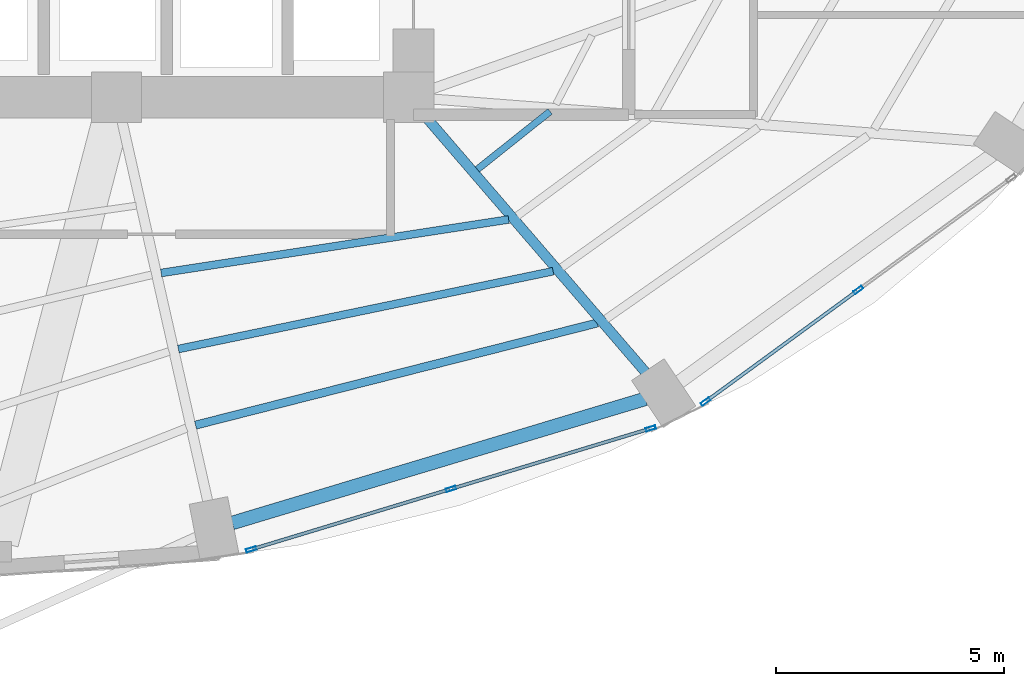
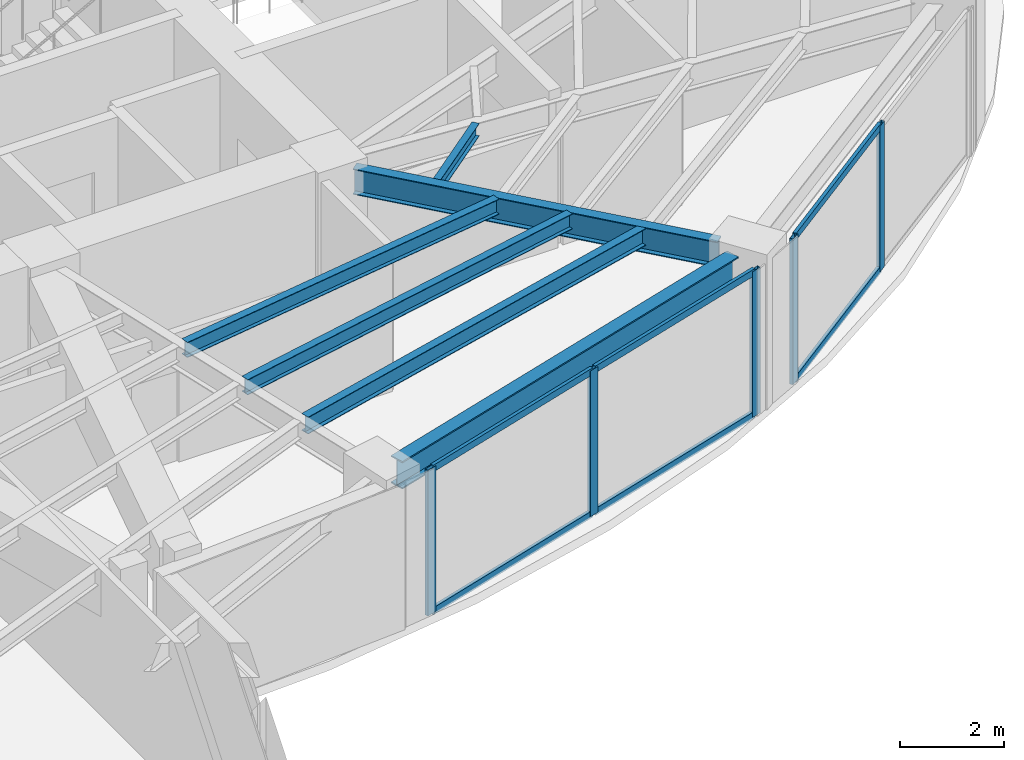
# One storey, part 9 of 24: 11 members, 6 beams, 2 elements without a shape of their own.
"""IFC4 building model written with IfcOpenShell, lengths in metres."""

from ifc_helpers import new_model, si_unit, direction, frame, origin, origin_2d, place, context, subcontext, project, spatial, hollow_rectangle, i_section, extrude, material, layer, layer_set, material_profile, profile_set, type_object, element, aggregate, save


model = new_model("IFC4")

# Units and contexts
model_context = context("Model", 3, precision=1e-05, world=origin(), true_north=direction((0.0, 1.0)))
body_context = subcontext(model_context, "Body", "Model", "MODEL_VIEW")
ifc_project = project(units=[si_unit("LENGTHUNIT", "METRE"), si_unit("AREAUNIT", "SQUARE_METRE"), si_unit("VOLUMEUNIT", "CUBIC_METRE"), si_unit("PLANEANGLEUNIT", "RADIAN"), si_unit("MASSUNIT", "GRAM", prefix="KILO")], contexts=[model_context])

# Site, building, storey
site_placement = place(None, origin())
site = spatial("IfcSite", under=ifc_project, at=site_placement, CompositionType="ELEMENT")
building_placement = place(site_placement, origin())
building = spatial("IfcBuilding", under=site, at=building_placement, Name="Lazwardi Medical Tower", CompositionType="ELEMENT")
storey_placement = place(building_placement, frame((0.0, 0.0, 36.14404296875)))
storey = spatial("IfcBuildingStorey", under=building, at=storey_placement, Name="L08", CompositionType="ELEMENT", Elevation=36.14404296875)

# Beams
ifc_material_1 = material(Name="Steel S355", Category="steel")
ifc_material_profile_1 = material_profile(ifc_material_1, i_section(OverallWidth=0.300048828125, OverallDepth=0.64990234375, WebThickness=0.01611328125, FlangeThickness=0.031005859375, at=origin_2d()), Name="HEB 650")
ifc_profile_set_1 = profile_set([ifc_material_profile_1], Name="Steel S355")
beam_type_1 = type_object("IfcBeamType", Name="BM-RB-Z1", PredefinedType="BEAM", material=ifc_profile_set_1)
beam_1_placement = place(storey_placement, frame((41.73291015625, 11.076904296875, 3.10302734375), z_axis=(0.957695289269, 0.287784177662, 0.0), x_axis=(-0.287784177662, 0.957695289269, 0.0)))
element("IfcBeam", 1, at=beam_1_placement, inside=storey, type_object=beam_type_1, Name="Ring beam RB-02 B01 L08", PredefinedType="BEAM", context=body_context, shape_type="SweptSolid", body=[
    extrude(i_section(OverallWidth=0.300048828125, OverallDepth=0.64990234375, WebThickness=0.01611328125, FlangeThickness=0.031005859375, at=origin_2d()), origin(), (0.0, 0.0, 1.0), 9.445556640625),
])
ifc_material_profile_2 = material_profile(ifc_material_1, i_section(OverallWidth=0.219970703125, OverallDepth=0.60009765625, WebThickness=0.011962890625, FlangeThickness=0.01904296875, at=origin_2d()), Name="IPE 600")
ifc_profile_set_2 = profile_set([ifc_material_profile_2], Name="Steel S355")
beam_type_2 = type_object("IfcBeamType", Name="BM-RG-W1", PredefinedType="BEAM", material=ifc_profile_set_2)
beam_2_placement = place(storey_placement, frame((50.802490234375, 14.355712890625, 3.1279296875), z_axis=(-0.652368190463, 0.757902199543, 0.0), x_axis=(-0.757902199543, -0.652368190463, 0.0)))
element("IfcBeam", 2, at=beam_2_placement, inside=storey, type_object=beam_type_2, Name="Radial girder RG-02 R02 L08", PredefinedType="BEAM", context=body_context, shape_type="SweptSolid", body=[
    extrude(i_section(OverallWidth=0.219970703125, OverallDepth=0.60009765625, WebThickness=0.011962890625, FlangeThickness=0.01904296875, at=origin_2d()), origin(), (0.0, 0.0, 1.0), 7.43994140625),
])
ifc_material_profile_3 = material_profile(ifc_material_1, i_section(OverallWidth=0.179931640625, OverallDepth=0.39990234375, WebThickness=0.008544921875, FlangeThickness=0.013427734375, at=origin_2d()), Name="IPE 400")
ifc_profile_set_3 = profile_set([ifc_material_profile_3], Name="Steel S355")
beam_type_3 = type_object("IfcBeamType", Name="BM-SJ-01", PredefinedType="JOIST", material=ifc_profile_set_3)
beam_3_placement = place(storey_placement, frame((40.927734375, 13.218994140625, 3.22802734375), z_axis=(0.969151012048, 0.246467677081, 0.0), x_axis=(-0.246467677081, 0.969151012048, 0.0)))
element("IfcBeam", 3, at=beam_3_placement, inside=storey, type_object=beam_type_3, Name="Secondary joist SJ-01 R1 B01 L08", PredefinedType="JOIST", context=body_context, shape_type="SweptSolid", body=[
    extrude(i_section(OverallWidth=0.179931640625, OverallDepth=0.39990234375, WebThickness=0.008544921875, FlangeThickness=0.013427734375, at=origin_2d()), origin(), (0.0, 0.0, 1.0), 9.08251953125),
])
ifc_material_profile_4 = material_profile(ifc_material_1, i_section(OverallWidth=0.169921875, OverallDepth=0.360107421875, WebThickness=0.008056640625, FlangeThickness=0.0126953125, at=origin_2d()), Name="IPE 360")
ifc_profile_set_4 = profile_set([ifc_material_profile_4], Name="Steel S355")
beam_type_4 = type_object("IfcBeamType", Name="BM-SJ-02", PredefinedType="JOIST", material=ifc_profile_set_4)
beam_4_placement = place(storey_placement, frame((40.5517578125, 14.885498046875, 3.248046875), z_axis=(0.979107693723, 0.203342381445, 0.0), x_axis=(-0.203342381445, 0.979107693723, 0.0)))
element("IfcBeam", 4, at=beam_4_placement, inside=storey, type_object=beam_type_4, Name="Secondary joist SJ-02 R2 B01 L08", PredefinedType="JOIST", context=body_context, shape_type="SweptSolid", body=[
    extrude(i_section(OverallWidth=0.169921875, OverallDepth=0.360107421875, WebThickness=0.008056640625, FlangeThickness=0.0126953125, at=origin_2d()), origin(), (0.0, 0.0, 1.0), 8.381591796875),
])
beam_5_placement = place(storey_placement, frame((40.175537109375, 16.551513671875, 3.248046875), z_axis=(0.988362899594, 0.152114360618, 0.0), x_axis=(-0.152114360618, 0.988362899594, 0.0)))
element("IfcBeam", 5, at=beam_5_placement, inside=storey, type_object=beam_type_4, Name="Secondary joist SJ-02 R3 B01 L08", PredefinedType="JOIST", context=body_context, shape_type="SweptSolid", body=[
    extrude(i_section(OverallWidth=0.169921875, OverallDepth=0.360107421875, WebThickness=0.008056640625, FlangeThickness=0.0126953125, at=origin_2d()), origin(), (0.0, 0.0, 1.0), 7.70068359375),
])
ifc_material_profile_5 = material_profile(ifc_material_1, i_section(OverallWidth=0.14990234375, OverallDepth=0.300048828125, WebThickness=0.007080078125, FlangeThickness=0.0107421875, at=origin_2d()), Name="IPE 300")
ifc_profile_set_5 = profile_set([ifc_material_profile_5], Name="Steel S355")
beam_type_5 = type_object("IfcBeamType", Name="BM-SJ-03", PredefinedType="JOIST", material=ifc_profile_set_5)
beam_6_placement = place(storey_placement, frame((47.098876953125, 18.8193359375, 3.278076171875), z_axis=(0.782210957226, 0.623013658274, 0.0), x_axis=(-0.623013658274, 0.782210957226, 0.0)))
element("IfcBeam", 6, at=beam_6_placement, inside=storey, type_object=beam_type_5, Name="Secondary joist SJ-03 R4 B02 L08", PredefinedType="JOIST", context=body_context, shape_type="SweptSolid", body=[
    extrude(i_section(OverallWidth=0.14990234375, OverallDepth=0.300048828125, WebThickness=0.007080078125, FlangeThickness=0.0107421875, at=origin_2d()), origin(), (0.0, 0.0, 1.0), 2.0380859375),
])

# Curtain wall, members
ifc_material_2 = material(Name="Anodised bronze aluminium and solar control glazing", Category="aluminium")
ifc_layer = layer(ifc_material_2, 0.199951171875)
ifc_layer_set = layer_set([ifc_layer], Name="Anodised bronze aluminium and solar control glazing")
curtain_wall_type = type_object("IfcCurtainWallType", Name="CW-SYS-02", PredefinedType="NOTDEFINED", material=ifc_layer_set)
curtain_wall_1_placement = place(storey_placement, origin())
curtain_wall_1 = element("IfcCurtainWall", 7, at=curtain_wall_1_placement, inside=storey, type_object=curtain_wall_type, Name="L08 Unitised bronze curtain wall CW-02", PredefinedType="NOTDEFINED")
ifc_material_3 = material(Name="Anodised bronze aluminium", Category="aluminium")
ifc_material_profile_6 = material_profile(ifc_material_3, hollow_rectangle(XDim=0.074951171875, YDim=0.219970703125, WallThickness=0.00390625, at=origin_2d()), Name="ALU-MULLION 220x75x4")
ifc_profile_set_6 = profile_set([ifc_material_profile_6], Name="Anodised bronze aluminium")
member_type_1 = type_object("IfcMemberType", Name="CW-MUL-01", PredefinedType="MULLION", material=ifc_profile_set_6)
member_1_placement = place(storey_placement, frame((42.14794921875, 10.496337890625, 0.0), z_axis=(0.0, 0.0, 1.0), x_axis=(-0.2898956909, 0.957058247129, 0.0)))
member_1 = element("IfcMember", 8, at=member_1_placement, type_object=member_type_1, Name="CW-02 mullion 1", PredefinedType="MULLION", context=body_context, shape_type="SweptSolid", body=[
    extrude(hollow_rectangle(XDim=0.074951171875, YDim=0.219970703125, WallThickness=0.00390625, at=origin_2d()), origin(), (0.0, 0.0, 1.0), 3.427978515625),
])
member_2_placement = place(storey_placement, frame((46.523193359375, 11.821533203125, 0.0), z_axis=(0.0, 0.0, 1.0), x_axis=(-0.2898956909, 0.957058247129, 0.0)))
member_2 = element("IfcMember", 9, at=member_2_placement, type_object=member_type_1, Name="CW-02 mullion 2", PredefinedType="MULLION", context=body_context, shape_type="SweptSolid", body=[
    extrude(hollow_rectangle(XDim=0.074951171875, YDim=0.219970703125, WallThickness=0.00390625, at=origin_2d()), origin(), (0.0, 0.0, 1.0), 3.427978515625),
])
member_3_placement = place(storey_placement, frame((50.8984375, 13.146728515625, 0.0), z_axis=(0.0, 0.0, 1.0), x_axis=(-0.2898956909, 0.957058247129, 0.0)))
member_3 = element("IfcMember", 10, at=member_3_placement, type_object=member_type_1, Name="CW-02 mullion 3", PredefinedType="MULLION", context=body_context, shape_type="SweptSolid", body=[
    extrude(hollow_rectangle(XDim=0.074951171875, YDim=0.219970703125, WallThickness=0.00390625, at=origin_2d()), origin(), (0.0, 0.0, 1.0), 3.427978515625),
])

curtain_wall_2_placement = place(storey_placement, origin())
curtain_wall_2 = element("IfcCurtainWall", 11, at=curtain_wall_2_placement, inside=storey, type_object=curtain_wall_type, Name="L08 Unitised bronze curtain wall CW-02", PredefinedType="NOTDEFINED")
member_4_placement = place(storey_placement, frame((52.0986328125, 13.73388671875, 0.0), z_axis=(0.0, 0.0, 1.0), x_axis=(-0.590289307341, 0.807191757663, 0.0)))
member_4 = element("IfcMember", 12, at=member_4_placement, type_object=member_type_1, Name="CW-02 mullion 1", PredefinedType="MULLION", context=body_context, shape_type="SweptSolid", body=[
    extrude(hollow_rectangle(XDim=0.074951171875, YDim=0.219970703125, WallThickness=0.00390625, at=origin_2d()), origin(), (0.0, 0.0, 1.0), 3.427978515625),
])
member_5_placement = place(storey_placement, frame((55.4443359375, 16.1806640625, 0.0), z_axis=(0.0, 0.0, 1.0), x_axis=(-0.590289307341, 0.807191757663, 0.0)))
member_5 = element("IfcMember", 13, at=member_5_placement, type_object=member_type_1, Name="CW-02 mullion 2", PredefinedType="MULLION", context=body_context, shape_type="SweptSolid", body=[
    extrude(hollow_rectangle(XDim=0.074951171875, YDim=0.219970703125, WallThickness=0.00390625, at=origin_2d()), origin(), (0.0, 0.0, 1.0), 3.427978515625),
])

# Member
ifc_material_profile_7 = material_profile(ifc_material_3, hollow_rectangle(XDim=0.074951171875, YDim=0.159912109375, WallThickness=0.00390625, at=origin_2d()), Name="ALU-TRANSOM 160x75x4")
ifc_profile_set_7 = profile_set([ifc_material_profile_7], Name="Anodised bronze aluminium")
member_type_2 = type_object("IfcMemberType", Name="CW-TRN-01", PredefinedType="USERDEFINED", material=ifc_profile_set_7)
member_6_placement = place(storey_placement, frame((42.183837890625, 10.507080078125, 0.037353515625), z_axis=(0.957047233423, 0.28993204893, 0.0), x_axis=(-0.28993204893, 0.957047233423, 0.0)))
member_6 = element("IfcMember", 14, at=member_6_placement, type_object=member_type_2, Name="CW-02 transom 1.1", ObjectType="TRANSOM", PredefinedType="USERDEFINED", context=body_context, shape_type="SweptSolid", body=[
    extrude(hollow_rectangle(XDim=0.074951171875, YDim=0.159912109375, WallThickness=0.00390625, at=origin_2d()), origin(), (0.0, 0.0, 1.0), 4.49658203125),
])

member_7_placement = place(storey_placement, frame((42.183837890625, 10.507080078125, 3.390380859375), z_axis=(0.957047233423, 0.28993204893, 0.0), x_axis=(-0.28993204893, 0.957047233423, 0.0)))
member_7 = element("IfcMember", 15, at=member_7_placement, type_object=member_type_2, Name="CW-02 transom 1.2", ObjectType="TRANSOM", PredefinedType="USERDEFINED", context=body_context, shape_type="SweptSolid", body=[
    extrude(hollow_rectangle(XDim=0.074951171875, YDim=0.159912109375, WallThickness=0.00390625, at=origin_2d()), origin(), (0.0, 0.0, 1.0), 4.49658203125),
])

member_8_placement = place(storey_placement, frame((46.55908203125, 11.83251953125, 0.037353515625), z_axis=(0.957062297904, 0.289882317383, 0.0), x_axis=(-0.289882317383, 0.957062297904, 0.0)))
member_8 = element("IfcMember", 16, at=member_8_placement, type_object=member_type_2, Name="CW-02 transom 2.1", ObjectType="TRANSOM", PredefinedType="USERDEFINED", context=body_context, shape_type="SweptSolid", body=[
    extrude(hollow_rectangle(XDim=0.074951171875, YDim=0.159912109375, WallThickness=0.00390625, at=origin_2d()), origin(), (0.0, 0.0, 1.0), 4.49658203125),
])

member_9_placement = place(storey_placement, frame((46.55908203125, 11.83251953125, 3.390380859375), z_axis=(0.957062297904, 0.289882317383, 0.0), x_axis=(-0.289882317383, 0.957062297904, 0.0)))
member_9 = element("IfcMember", 17, at=member_9_placement, type_object=member_type_2, Name="CW-02 transom 2.2", ObjectType="TRANSOM", PredefinedType="USERDEFINED", context=body_context, shape_type="SweptSolid", body=[
    extrude(hollow_rectangle(XDim=0.074951171875, YDim=0.159912109375, WallThickness=0.00390625, at=origin_2d()), origin(), (0.0, 0.0, 1.0), 4.49658203125),
])

aggregate(curtain_wall_1, [member_1, member_2, member_3, member_6, member_7, member_8, member_9])

member_10_placement = place(storey_placement, frame((52.12890625, 13.756103515625, 0.037353515625), z_axis=(0.807197636578, 0.590281268128, 0.0), x_axis=(-0.590281268128, 0.807197636578, 0.0)))
member_10 = element("IfcMember", 18, at=member_10_placement, type_object=member_type_2, Name="CW-02 transom 1.1", ObjectType="TRANSOM", PredefinedType="USERDEFINED", context=body_context, shape_type="SweptSolid", body=[
    extrude(hollow_rectangle(XDim=0.074951171875, YDim=0.159912109375, WallThickness=0.00390625, at=origin_2d()), origin(), (0.0, 0.0, 1.0), 4.06982421875),
])

member_11_placement = place(storey_placement, frame((52.12890625, 13.756103515625, 3.390380859375), z_axis=(0.807197636578, 0.590281268128, 0.0), x_axis=(-0.590281268128, 0.807197636578, 0.0)))
member_11 = element("IfcMember", 19, at=member_11_placement, type_object=member_type_2, Name="CW-02 transom 1.2", ObjectType="TRANSOM", PredefinedType="USERDEFINED", context=body_context, shape_type="SweptSolid", body=[
    extrude(hollow_rectangle(XDim=0.074951171875, YDim=0.159912109375, WallThickness=0.00390625, at=origin_2d()), origin(), (0.0, 0.0, 1.0), 4.06982421875),
])

aggregate(curtain_wall_2, [member_4, member_5, member_10, member_11])

save(model, "model.ifc")
